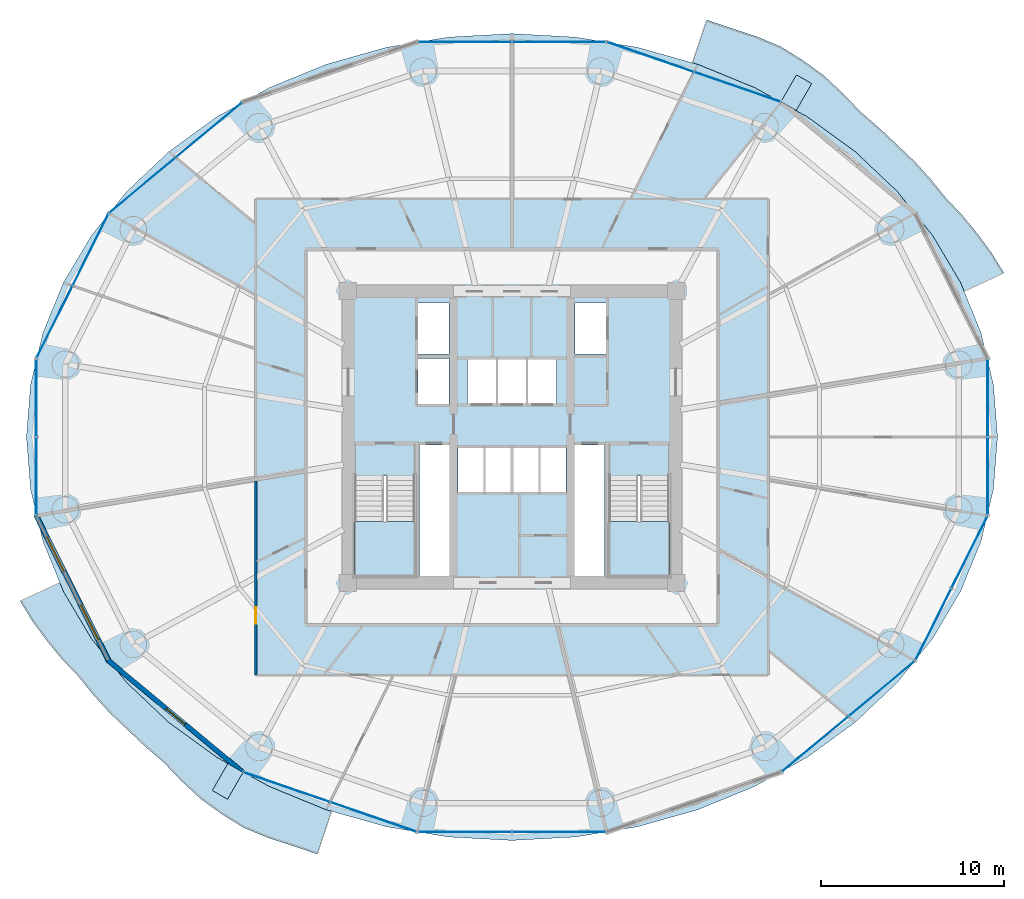
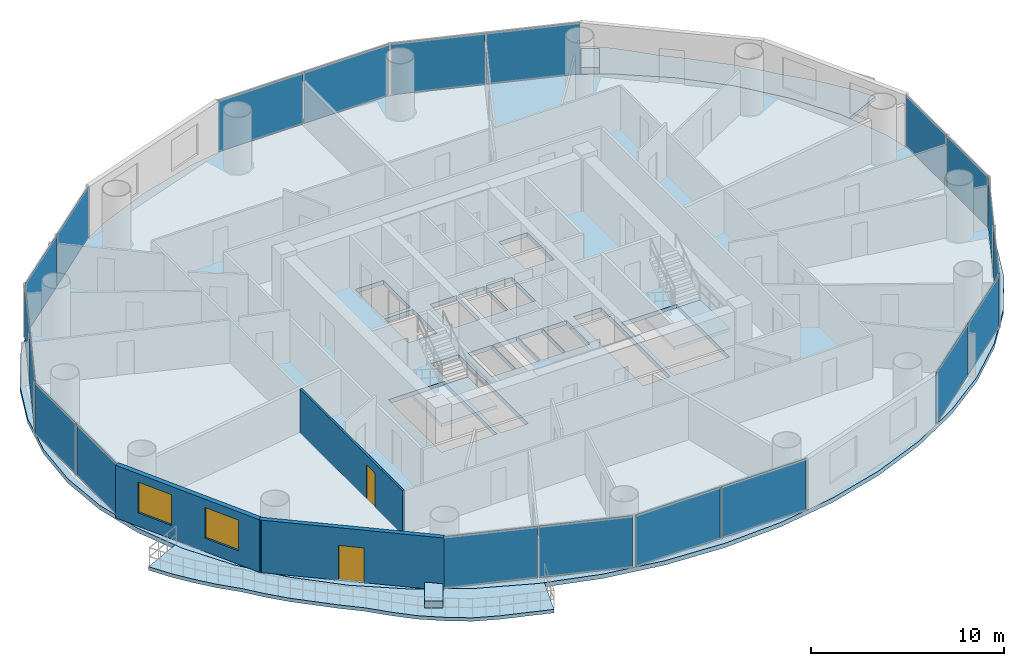
# One storey, part 21 of 29: 20 plates, 7 slabs, 3 walls, 2 doors, 2 windows, 4 openings, 12 elements without a shape of their own.
"""IFC4 building model written with IfcOpenShell, lengths in metres."""

from ifc_helpers import new_model, si_unit, direction, frame, frame_2d, origin, origin_2d, place, context, subcontext, project, spatial, polyline, rectangle, outline, extrude, source, transform, mapped, material, layer, layer_set, type_object, element, fill, aggregate, save


model = new_model("IFC4")

# Units and contexts
model_context = context("Model", 3, precision=1e-05, world=origin(), true_north=direction((-0.2419218956, 0.970295726276)))
body_context = subcontext(model_context, "Body", "Model", "MODEL_VIEW")
ifc_project = project(units=[si_unit("LENGTHUNIT", "METRE"), si_unit("AREAUNIT", "SQUARE_METRE"), si_unit("VOLUMEUNIT", "CUBIC_METRE"), si_unit("PLANEANGLEUNIT", "RADIAN"), si_unit("MASSUNIT", "GRAM", prefix="KILO")], contexts=[model_context])

# Site, building, storey
site_placement = place(None, origin())
site = spatial("IfcSite", under=ifc_project, at=site_placement, CompositionType="ELEMENT")
building_placement = place(site_placement, origin())
building = spatial("IfcBuilding", under=site, at=building_placement, Name="Cobrevalo Terracotta Tower", CompositionType="ELEMENT")
storey_placement = place(building_placement, frame((0.0, 0.0, 87.0)))
storey = spatial("IfcBuildingStorey", under=building, at=storey_placement, Name="L22", CompositionType="ELEMENT", Elevation=87.0)

# Stair, slab
ifc_material_1 = material(Name="Concrete C50", Category="concrete")
stair_type = type_object("IfcStairType", Name="Core protected escape dogleg stair 1600", PredefinedType="HALF_TURN_STAIR", material=ifc_material_1)
stair_1_placement = place(storey_placement, origin())
stair_1 = element("IfcStair", 1, at=stair_1_placement, inside=storey, type_object=stair_type, Name="L22 Protected exit stair ST-1", PredefinedType="HALF_TURN_STAIR")
ifc_layer_1 = layer(ifc_material_1, 0.199951171875)
ifc_layer_set_1 = layer_set([ifc_layer_1], Name="Concrete C50")
slab_type_1 = type_object("IfcSlabType", Name="Reinforced Concrete Stair Landing 200", PredefinedType="LANDING", material=ifc_layer_set_1)
slab_1_placement = place(storey_placement, frame((0.0, 0.0, 1.60009765625)))
slab_1 = element("IfcSlab", 2, at=slab_1_placement, type_object=slab_type_1, Name="ST-1 landing 1", PredefinedType="LANDING", context=body_context, shape_type="SweptSolid", body=[
    extrude(outline(polyline([(29.375, 22.179931640625), (29.375, 19.175048828125), (32.695068359375, 19.175048828125), (32.695068359375, 22.179931640625), (29.375, 22.179931640625)])), origin(), (0.0, 0.0, 1.0), 0.199951171875),
])
aggregate(stair_1, [slab_1])

stair_2_placement = place(storey_placement, origin())
stair_2 = element("IfcStair", 3, at=stair_2_placement, inside=storey, type_object=stair_type, Name="L22 Protected exit stair ST-2", PredefinedType="HALF_TURN_STAIR")
slab_2_placement = place(storey_placement, frame((0.0, 0.0, 1.60009765625)))
slab_2 = element("IfcSlab", 4, at=slab_2_placement, type_object=slab_type_1, Name="ST-2 landing 1", PredefinedType="LANDING", context=body_context, shape_type="SweptSolid", body=[
    extrude(outline(polyline([(43.304931640625, 22.179931640625), (43.304931640625, 19.175048828125), (46.625, 19.175048828125), (46.625, 22.179931640625), (43.304931640625, 22.179931640625)])), origin(), (0.0, 0.0, 1.0), 0.199951171875),
])
aggregate(stair_2, [slab_2])

# Slabs
ifc_material_2 = material(Name="Concrete C45", Category="concrete")
ifc_layer_2 = layer(ifc_material_2, 0.219970703125)
ifc_layer_set_2 = layer_set([ifc_layer_2], Name="Concrete C45")
slab_type_2 = type_object("IfcSlabType", Name="Spiralling cantilevered balcony lobe slab 220 mm", PredefinedType="FLOOR", material=ifc_layer_set_2)
slab_3_placement = place(storey_placement, frame((0.0, 0.0, -0.219970703125)))
element("IfcSlab", 5, at=slab_3_placement, inside=storey, type_object=slab_type_2, Name="L22 spiralling arc balcony slab lobe 1", PredefinedType="FLOOR", context=body_context, shape_type="SweptSolid", body=[
    extrude(outline(polyline([(64.953125, 35.782958984375), (64.26611328125, 36.896240234375), (63.485107421875, 37.955322265625), (62.659423828125, 38.96337890625), (61.74560546875, 39.91943359375), (60.925048828125, 40.93798828125), (60.039794921875, 41.912109375), (59.07275390625, 42.830810546875), (58.103515625, 43.74462890625), (57.076416015625, 44.633544921875), (56.11328125, 45.638916015625), (55.0849609375, 46.60009765625), (53.93408203125, 47.4345703125), (52.727294921875, 48.186767578125), (51.401611328125, 48.739501953125), (50.031982421875, 49.18896484375), (48.671142578125, 49.64697265625), (47.89013671875, 47.301513671875), (48.18017578125, 47.219482421875), (51.301025390625, 45.94091796875), (54.1943359375, 44.334716796875), (56.810546875, 42.428466796875), (59.104736328125, 40.2548828125), (61.0380859375, 37.85107421875), (62.5771484375, 35.258056640625), (62.77685546875, 34.76904296875), (64.953125, 35.782958984375)])), origin(), (0.0, 0.0, 1.0), 0.219970703125),
])
slab_4_placement = place(storey_placement, frame((0.0, 0.0, -0.219970703125)))
element("IfcSlab", 6, at=slab_4_placement, inside=storey, type_object=slab_type_2, Name="L22 spiralling arc balcony slab lobe 2", PredefinedType="FLOOR", context=body_context, shape_type="SweptSolid", body=[
    extrude(outline(polyline([(11.046875, 17.81689453125), (11.73388671875, 16.70361328125), (12.514892578125, 15.64453125), (13.340576171875, 14.63671875), (14.25439453125, 13.680419921875), (15.074951171875, 12.662109375), (15.960205078125, 11.687744140625), (16.92724609375, 10.769287109375), (17.896484375, 9.85546875), (18.923583984375, 8.966552734375), (19.88671875, 7.9609375), (20.9150390625, 7.0), (22.06591796875, 6.16552734375), (23.272705078125, 5.413330078125), (24.598388671875, 4.8603515625), (25.968017578125, 4.410888671875), (27.328857421875, 3.953125), (28.10986328125, 6.298583984375), (27.81982421875, 6.38037109375), (24.698974609375, 7.6591796875), (21.8056640625, 9.265380859375), (19.189453125, 11.171630859375), (16.895263671875, 13.34521484375), (14.9619140625, 15.7490234375), (13.4228515625, 18.342041015625), (13.22314453125, 18.8310546875), (11.046875, 17.81689453125)])), origin(), (0.0, 0.0, 1.0), 0.219970703125),
])
ifc_material_3 = material(Name="Precast concrete C45", Category="concrete")
ifc_layer_3 = layer(ifc_material_3, 0.419921875)
ifc_layer_set_3 = layer_set([ifc_layer_3], Name="Precast concrete C45")
slab_type_3 = type_object("IfcSlabType", Name="Structural tree planter trough base 420 mm", PredefinedType="USERDEFINED", material=ifc_layer_set_3)
slab_5_placement = place(storey_placement, origin())
element("IfcSlab", 7, at=slab_5_placement, inside=storey, type_object=slab_type_3, Name="L22 structural tree planter trough 1", ObjectType="PLANTER", PredefinedType="USERDEFINED", context=body_context, shape_type="SweptSolid", body=[
    extrude(outline(polyline([(53.568359375, 44.689208984375), (54.417724609375, 46.161865234375), (53.586181640625, 46.6416015625), (52.73681640625, 45.1689453125), (53.568359375, 44.689208984375)])), origin(), (0.0, 0.0, 1.0), 0.419921875),
])
slab_6_placement = place(storey_placement, origin())
element("IfcSlab", 8, at=slab_6_placement, inside=storey, type_object=slab_type_3, Name="L22 structural tree planter trough 2", ObjectType="PLANTER", PredefinedType="USERDEFINED", context=body_context, shape_type="SweptSolid", body=[
    extrude(outline(polyline([(22.431640625, 8.91064453125), (21.582275390625, 7.43798828125), (22.413818359375, 6.95849609375), (23.26318359375, 8.43115234375), (22.431640625, 8.91064453125)])), origin(), (0.0, 0.0, 1.0), 0.419921875),
])
ifc_layer_4 = layer(ifc_material_1, 0.27490234375)
ifc_layer_set_4 = layer_set([ifc_layer_4], Name="Concrete C50")
slab_type_4 = type_object("IfcSlabType", Name="Zone Z2 elliptical floor plate 275 mm", PredefinedType="FLOOR", material=ifc_layer_set_4)
slab_7_placement = place(storey_placement, frame((0.0, 0.0, -0.27490234375)))
element("IfcSlab", 9, at=slab_7_placement, inside=storey, type_object=slab_type_4, Name="L22 indoor elliptical floor slab", PredefinedType="FLOOR", context=body_context, shape_type="SweptSolid", body=[
    extrude(outline(polyline([(64.372314453125, 23.915283203125), (63.693603515625, 21.080078125), (62.5751953125, 18.3427734375), (61.036376953125, 15.75), (59.103271484375, 13.346435546875), (56.80908203125, 11.1728515625), (54.193115234375, 9.266845703125), (51.300048828125, 7.660888671875), (48.179443359375, 6.38232421875), (44.884521484375, 5.453125), (41.471923828125, 4.88916015625), (38.0, 4.699951171875), (34.528076171875, 4.88916015625), (31.115478515625, 5.453125), (27.820556640625, 6.38232421875), (24.699951171875, 7.660888671875), (21.806884765625, 9.266845703125), (19.19091796875, 11.1728515625), (16.896728515625, 13.346435546875), (14.963623046875, 15.75), (13.4248046875, 18.3427734375), (12.306396484375, 21.080078125), (11.627685546875, 23.915283203125), (11.39990234375, 26.800048828125), (11.627685546875, 29.6845703125), (12.306396484375, 32.52001953125), (13.4248046875, 35.25732421875), (14.963623046875, 37.85009765625), (16.896728515625, 40.253662109375), (19.19091796875, 42.427001953125), (21.806884765625, 44.3330078125), (24.699951171875, 45.939208984375), (27.820556640625, 47.2177734375), (31.115478515625, 48.14697265625), (34.528076171875, 48.7109375), (38.0, 48.89990234375), (41.471923828125, 48.7109375), (44.884521484375, 48.14697265625), (48.179443359375, 47.2177734375), (51.300048828125, 45.939208984375), (54.193115234375, 44.3330078125), (56.80908203125, 42.427001953125), (59.103271484375, 40.253662109375), (61.036376953125, 37.85009765625), (62.5751953125, 35.25732421875), (63.693603515625, 32.52001953125), (64.372314453125, 29.6845703125), (64.60009765625, 26.800048828125), (64.372314453125, 23.915283203125)]), holes=[polyline([(32.695068359375, 19.175048828125), (32.695068359375, 24.659912109375), (29.375, 24.659912109375), (29.375, 19.175048828125), (32.695068359375, 19.175048828125)]), polyline([(34.574951171875, 19.175048828125), (34.574951171875, 26.360107421875), (32.919921875, 26.360107421875), (32.919921875, 19.175048828125), (34.574951171875, 19.175048828125)]), polyline([(36.47998046875, 23.800048828125), (36.47998046875, 26.25), (35.050048828125, 26.25), (35.050048828125, 23.800048828125), (36.47998046875, 23.800048828125)]), polyline([(37.9599609375, 23.800048828125), (37.9599609375, 26.25), (36.530029296875, 26.25), (36.530029296875, 23.800048828125), (37.9599609375, 23.800048828125)]), polyline([(37.1201171875, 28.60009765625), (37.1201171875, 31.050048828125), (35.550048828125, 31.050048828125), (35.550048828125, 28.60009765625), (37.1201171875, 28.60009765625)]), polyline([(34.550048828125, 28.60009765625), (34.550048828125, 31.10009765625), (32.85009765625, 31.10009765625), (32.85009765625, 28.60009765625), (34.550048828125, 28.60009765625)]), polyline([(34.550048828125, 31.35009765625), (34.550048828125, 34.14990234375), (32.85009765625, 34.14990234375), (32.85009765625, 31.35009765625), (34.550048828125, 31.35009765625)]), polyline([(46.625, 19.175048828125), (46.625, 24.659912109375), (43.304931640625, 24.659912109375), (43.304931640625, 19.175048828125), (46.625, 19.175048828125)]), polyline([(43.080078125, 19.175048828125), (43.080078125, 26.360107421875), (41.425048828125, 26.360107421875), (41.425048828125, 19.175048828125), (43.080078125, 19.175048828125)]), polyline([(39.469970703125, 23.800048828125), (39.469970703125, 26.25), (38.0400390625, 26.25), (38.0400390625, 23.800048828125), (39.469970703125, 23.800048828125)]), polyline([(40.949951171875, 23.800048828125), (40.949951171875, 26.25), (39.52001953125, 26.25), (39.52001953125, 23.800048828125), (40.949951171875, 23.800048828125)]), polyline([(38.780029296875, 28.60009765625), (38.780029296875, 31.050048828125), (37.219970703125, 31.050048828125), (37.219970703125, 28.60009765625), (38.780029296875, 28.60009765625)]), polyline([(40.449951171875, 28.60009765625), (40.449951171875, 31.050048828125), (38.8798828125, 31.050048828125), (38.8798828125, 28.60009765625), (40.449951171875, 28.60009765625)]), polyline([(43.14990234375, 31.35009765625), (43.14990234375, 34.14990234375), (41.449951171875, 34.14990234375), (41.449951171875, 31.35009765625), (43.14990234375, 31.35009765625)])]), origin(), (0.0, 0.0, 1.0), 0.27490234375),
])

# Curtain wall, plates
ifc_material_4 = material(Name="Anodized aluminium", Category="aluminium")
curtain_wall_type = type_object("IfcCurtainWallType", Name="Lower-tower unitised acoustic low-E curtain wall CW-U1", PredefinedType="NOTDEFINED", material=ifc_material_4)
curtain_wall_1_placement = place(storey_placement, origin())
curtain_wall_1 = element("IfcCurtainWall", 10, at=curtain_wall_1_placement, inside=storey, type_object=curtain_wall_type, Name="L22 curtain wall CW-L22-S03", PredefinedType="NOTDEFINED")
ifc_material_5 = material(Name="Solar-control low-E double glazing", Category="glass")
ifc_layer_5 = layer(ifc_material_5, 0.028076171875)
ifc_layer_set_5 = layer_set([ifc_layer_5], Name="Solar-control low-E double glazing")
plate_type = type_object("IfcPlateType", Name="Tower solar-control low-E vision glass panel 28 mm", PredefinedType="CURTAIN_PANEL", material=ifc_layer_set_5)
shared_shape_1 = source(origin(), body_context, "Body", "SweptSolid", [
    extrude(rectangle(XDim=4.944580078125, YDim=0.035888671875, at=origin_2d()), origin(), (0.0, 0.0, 1.0), 3.2451171875),
])
plate_1_placement = place(storey_placement, frame((50.34814453125, 45.98095703125, 0.0400390625), z_axis=(0.0, 0.0, 1.0), x_axis=(-0.945596395206, 0.325342062104, 0.0)))
plate_1 = element("IfcPlate", 11, at=plate_1_placement, type_object=plate_type, Name="CW-L22-S03 glazing panel B01", PredefinedType="CURTAIN_PANEL", context=body_context, shape_type="MappedRepresentation", body=[
    mapped(shared_shape_1, transform((0.0, 0.0, 0.0), scale=1.0)),
])
plate_2_placement = place(storey_placement, frame((45.596923828125, 47.615478515625, 0.0400390625), z_axis=(0.0, 0.0, 1.0), x_axis=(-0.945596395206, 0.325342062104, 0.0)))
plate_2 = element("IfcPlate", 12, at=plate_2_placement, type_object=plate_type, Name="CW-L22-S03 glazing panel B02", PredefinedType="CURTAIN_PANEL", context=body_context, shape_type="MappedRepresentation", body=[
    mapped(shared_shape_1, transform((0.0, 0.0, 0.0), scale=1.0)),
])
aggregate(curtain_wall_1, [plate_1, plate_2])

curtain_wall_2_placement = place(storey_placement, origin())
curtain_wall_2 = element("IfcCurtainWall", 13, at=curtain_wall_2_placement, inside=storey, type_object=curtain_wall_type, Name="L22 curtain wall CW-L22-S11", PredefinedType="NOTDEFINED")
plate_3_placement = place(storey_placement, frame((25.65185546875, 7.619140625, 0.0400390625), z_axis=(0.0, 0.0, 1.0), x_axis=(0.945596395206, -0.325342062104, 0.0)))
plate_3 = element("IfcPlate", 14, at=plate_3_placement, type_object=plate_type, Name="CW-L22-S11 glazing panel B01", PredefinedType="CURTAIN_PANEL", context=body_context, shape_type="MappedRepresentation", body=[
    mapped(shared_shape_1, transform((0.0, 0.0, 0.0), scale=1.0)),
])
plate_4_placement = place(storey_placement, frame((30.403076171875, 5.984375, 0.0400390625), z_axis=(0.0, 0.0, 1.0), x_axis=(0.945596395206, -0.325342062104, 0.0)))
plate_4 = element("IfcPlate", 15, at=plate_4_placement, type_object=plate_type, Name="CW-L22-S11 glazing panel B02", PredefinedType="CURTAIN_PANEL", context=body_context, shape_type="MappedRepresentation", body=[
    mapped(shared_shape_1, transform((0.0, 0.0, 0.0), scale=1.0)),
])
aggregate(curtain_wall_2, [plate_3, plate_4])

curtain_wall_3_placement = place(storey_placement, origin())
curtain_wall_3 = element("IfcCurtainWall", 16, at=curtain_wall_3_placement, inside=storey, type_object=curtain_wall_type, Name="L22 curtain wall CW-L22-S04", PredefinedType="NOTDEFINED")
shared_shape_2 = source(origin(), body_context, "Body", "SweptSolid", [
    extrude(rectangle(XDim=5.0634765625, YDim=0.035888671875, at=origin_2d()), origin(), (0.0, 0.0, 1.0), 3.2451171875),
])
plate_5_placement = place(storey_placement, frame((40.57177734375, 48.446044921875, 0.0400390625), z_axis=(0.0, 0.0, 1.0), x_axis=(-1.0, 0.0, 0.0)))
plate_5 = element("IfcPlate", 17, at=plate_5_placement, type_object=plate_type, Name="CW-L22-S04 glazing panel B01", PredefinedType="CURTAIN_PANEL", context=body_context, shape_type="MappedRepresentation", body=[
    mapped(shared_shape_2, transform((0.0, 0.0, 0.0), scale=1.0)),
])
plate_6_placement = place(storey_placement, frame((35.42822265625, 48.446044921875, 0.0400390625), z_axis=(0.0, 0.0, 1.0), x_axis=(-1.0, 0.0, 0.0)))
plate_6 = element("IfcPlate", 18, at=plate_6_placement, type_object=plate_type, Name="CW-L22-S04 glazing panel B02", PredefinedType="CURTAIN_PANEL", context=body_context, shape_type="MappedRepresentation", body=[
    mapped(shared_shape_2, transform((0.0, 0.0, 0.0), scale=1.0)),
])
aggregate(curtain_wall_3, [plate_5, plate_6])

curtain_wall_4_placement = place(storey_placement, origin())
curtain_wall_4 = element("IfcCurtainWall", 19, at=curtain_wall_4_placement, inside=storey, type_object=curtain_wall_type, Name="L22 curtain wall CW-L22-S12", PredefinedType="NOTDEFINED")
plate_7_placement = place(storey_placement, frame((35.42822265625, 5.154052734375, 0.0400390625), z_axis=(0.0, 0.0, 1.0), x_axis=(1.0, 0.0, 0.0)))
plate_7 = element("IfcPlate", 20, at=plate_7_placement, type_object=plate_type, Name="CW-L22-S12 glazing panel B01", PredefinedType="CURTAIN_PANEL", context=body_context, shape_type="MappedRepresentation", body=[
    mapped(shared_shape_2, transform((0.0, 0.0, 0.0), scale=1.0)),
])
plate_8_placement = place(storey_placement, frame((40.57177734375, 5.154052734375, 0.0400390625), z_axis=(0.0, 0.0, 1.0), x_axis=(1.0, 0.0, 0.0)))
plate_8 = element("IfcPlate", 21, at=plate_8_placement, type_object=plate_type, Name="CW-L22-S12 glazing panel B02", PredefinedType="CURTAIN_PANEL", context=body_context, shape_type="MappedRepresentation", body=[
    mapped(shared_shape_2, transform((0.0, 0.0, 0.0), scale=1.0)),
])
aggregate(curtain_wall_4, [plate_7, plate_8])

curtain_wall_5_placement = place(storey_placement, origin())
curtain_wall_5 = element("IfcCurtainWall", 22, at=curtain_wall_5_placement, inside=storey, type_object=curtain_wall_type, Name="L22 curtain wall CW-L22-S06", PredefinedType="NOTDEFINED")
shared_shape_3 = source(origin(), body_context, "Body", "SweptSolid", [
    extrude(rectangle(XDim=4.64501953125, YDim=0.035888671875, at=origin_2d()), origin(), (0.0, 0.0, 1.0), 3.2451171875),
])
plate_9_placement = place(storey_placement, frame((21.390380859375, 43.615478515625, 0.0400390625), z_axis=(0.0, 0.0, 1.0), x_axis=(-0.769241221277, -0.638958483384, 0.0)))
plate_9 = element("IfcPlate", 23, at=plate_9_placement, type_object=plate_type, Name="CW-L22-S06 glazing panel B01", PredefinedType="CURTAIN_PANEL", context=body_context, shape_type="MappedRepresentation", body=[
    mapped(shared_shape_3, transform((0.0, 0.0, 0.0), scale=1.0)),
])
plate_10_placement = place(storey_placement, frame((17.755859375, 40.596435546875, 0.0400390625), z_axis=(0.0, 0.0, 1.0), x_axis=(-0.769241221277, -0.638958483384, 0.0)))
plate_10 = element("IfcPlate", 24, at=plate_10_placement, type_object=plate_type, Name="CW-L22-S06 glazing panel B02", PredefinedType="CURTAIN_PANEL", context=body_context, shape_type="MappedRepresentation", body=[
    mapped(shared_shape_3, transform((0.0, 0.0, 0.0), scale=1.0)),
])
aggregate(curtain_wall_5, [plate_9, plate_10])

curtain_wall_6_placement = place(storey_placement, origin())
curtain_wall_6 = element("IfcCurtainWall", 25, at=curtain_wall_6_placement, inside=storey, type_object=curtain_wall_type, Name="L22 curtain wall CW-L22-S14", PredefinedType="NOTDEFINED")
plate_11_placement = place(storey_placement, frame((54.609619140625, 9.984619140625, 0.0400390625), z_axis=(0.0, 0.0, 1.0), x_axis=(0.769241221277, 0.638958483384, 0.0)))
plate_11 = element("IfcPlate", 26, at=plate_11_placement, type_object=plate_type, Name="CW-L22-S14 glazing panel B01", PredefinedType="CURTAIN_PANEL", context=body_context, shape_type="MappedRepresentation", body=[
    mapped(shared_shape_3, transform((0.0, 0.0, 0.0), scale=1.0)),
])
plate_12_placement = place(storey_placement, frame((58.244140625, 13.00341796875, 0.0400390625), z_axis=(0.0, 0.0, 1.0), x_axis=(0.769241221277, 0.638958483384, 0.0)))
plate_12 = element("IfcPlate", 27, at=plate_12_placement, type_object=plate_type, Name="CW-L22-S14 glazing panel B02", PredefinedType="CURTAIN_PANEL", context=body_context, shape_type="MappedRepresentation", body=[
    mapped(shared_shape_3, transform((0.0, 0.0, 0.0), scale=1.0)),
])
aggregate(curtain_wall_6, [plate_11, plate_12])

curtain_wall_7_placement = place(storey_placement, origin())
curtain_wall_7 = element("IfcCurtainWall", 28, at=curtain_wall_7_placement, inside=storey, type_object=curtain_wall_type, Name="L22 curtain wall CW-L22-S07", PredefinedType="NOTDEFINED")
shared_shape_4 = source(origin(), body_context, "Body", "SweptSolid", [
    extrude(rectangle(XDim=4.3251953125, YDim=0.035888671875, at=origin_2d()), origin(), (0.0, 0.0, 1.0), 3.2451171875),
])
plate_13_placement = place(storey_placement, frame((14.906982421875, 37.0546875, 0.0400390625), z_axis=(0.0, 0.0, 1.0), x_axis=(-0.446261852127, -0.894902430065, 0.0)))
plate_13 = element("IfcPlate", 29, at=plate_13_placement, type_object=plate_type, Name="CW-L22-S07 glazing panel B01", PredefinedType="CURTAIN_PANEL", context=body_context, shape_type="MappedRepresentation", body=[
    mapped(shared_shape_4, transform((0.0, 0.0, 0.0), scale=1.0)),
])
plate_14_placement = place(storey_placement, frame((12.94140625, 33.112548828125, 0.0400390625), z_axis=(0.0, 0.0, 1.0), x_axis=(-0.446261852127, -0.894902430065, 0.0)))
plate_14 = element("IfcPlate", 30, at=plate_14_placement, type_object=plate_type, Name="CW-L22-S07 glazing panel B02", PredefinedType="CURTAIN_PANEL", context=body_context, shape_type="MappedRepresentation", body=[
    mapped(shared_shape_4, transform((0.0, 0.0, 0.0), scale=1.0)),
])
aggregate(curtain_wall_7, [plate_13, plate_14])

curtain_wall_8_placement = place(storey_placement, origin())
curtain_wall_8 = element("IfcCurtainWall", 31, at=curtain_wall_8_placement, inside=storey, type_object=curtain_wall_type, Name="L22 curtain wall CW-L22-S15", PredefinedType="NOTDEFINED")
plate_15_placement = place(storey_placement, frame((61.093017578125, 16.54541015625, 0.0400390625), z_axis=(0.0, 0.0, 1.0), x_axis=(0.446261852127, 0.894902430065, 0.0)))
plate_15 = element("IfcPlate", 32, at=plate_15_placement, type_object=plate_type, Name="CW-L22-S15 glazing panel B01", PredefinedType="CURTAIN_PANEL", context=body_context, shape_type="MappedRepresentation", body=[
    mapped(shared_shape_4, transform((0.0, 0.0, 0.0), scale=1.0)),
])
plate_16_placement = place(storey_placement, frame((63.05859375, 20.487548828125, 0.0400390625), z_axis=(0.0, 0.0, 1.0), x_axis=(0.446261852127, 0.894902430065, 0.0)))
plate_16 = element("IfcPlate", 33, at=plate_16_placement, type_object=plate_type, Name="CW-L22-S15 glazing panel B02", PredefinedType="CURTAIN_PANEL", context=body_context, shape_type="MappedRepresentation", body=[
    mapped(shared_shape_4, transform((0.0, 0.0, 0.0), scale=1.0)),
])
aggregate(curtain_wall_8, [plate_15, plate_16])

curtain_wall_9_placement = place(storey_placement, origin())
curtain_wall_9 = element("IfcCurtainWall", 34, at=curtain_wall_9_placement, inside=storey, type_object=curtain_wall_type, Name="L22 curtain wall CW-L22-S08", PredefinedType="NOTDEFINED")
shared_shape_5 = source(origin(), body_context, "Body", "SweptSolid", [
    extrude(rectangle(XDim=4.185546875, YDim=0.035888671875, at=origin_2d()), origin(), (0.0, 0.0, 1.0), 3.2451171875),
])
plate_17_placement = place(storey_placement, frame((11.9404296875, 28.932861328125, 0.0400390625), z_axis=(0.0, 0.0, 1.0), x_axis=(0.0, -1.0, 0.0)))
plate_17 = element("IfcPlate", 35, at=plate_17_placement, type_object=plate_type, Name="CW-L22-S08 glazing panel B01", PredefinedType="CURTAIN_PANEL", context=body_context, shape_type="MappedRepresentation", body=[
    mapped(shared_shape_5, transform((0.0, 0.0, 0.0), scale=1.0)),
])
plate_18_placement = place(storey_placement, frame((11.9404296875, 24.667236328125, 0.0400390625), z_axis=(0.0, 0.0, 1.0), x_axis=(0.0, -1.0, 0.0)))
plate_18 = element("IfcPlate", 36, at=plate_18_placement, type_object=plate_type, Name="CW-L22-S08 glazing panel B02", PredefinedType="CURTAIN_PANEL", context=body_context, shape_type="MappedRepresentation", body=[
    mapped(shared_shape_5, transform((0.0, 0.0, 0.0), scale=1.0)),
])
aggregate(curtain_wall_9, [plate_17, plate_18])

curtain_wall_10_placement = place(storey_placement, origin())
curtain_wall_10 = element("IfcCurtainWall", 37, at=curtain_wall_10_placement, inside=storey, type_object=curtain_wall_type, Name="L22 curtain wall CW-L22-S16", PredefinedType="NOTDEFINED")
plate_19_placement = place(storey_placement, frame((64.0595703125, 24.667236328125, 0.0400390625), z_axis=(0.0, 0.0, 1.0), x_axis=(0.0, 1.0, 0.0)))
plate_19 = element("IfcPlate", 38, at=plate_19_placement, type_object=plate_type, Name="CW-L22-S16 glazing panel B01", PredefinedType="CURTAIN_PANEL", context=body_context, shape_type="MappedRepresentation", body=[
    mapped(shared_shape_5, transform((0.0, 0.0, 0.0), scale=1.0)),
])
plate_20_placement = place(storey_placement, frame((64.0595703125, 28.932861328125, 0.0400390625), z_axis=(0.0, 0.0, 1.0), x_axis=(0.0, 1.0, 0.0)))
plate_20 = element("IfcPlate", 39, at=plate_20_placement, type_object=plate_type, Name="CW-L22-S16 glazing panel B02", PredefinedType="CURTAIN_PANEL", context=body_context, shape_type="MappedRepresentation", body=[
    mapped(shared_shape_5, transform((0.0, 0.0, 0.0), scale=1.0)),
])
aggregate(curtain_wall_10, [plate_19, plate_20])

# Wall, openings, windows
ifc_material_6 = material(Name="Autoclaved aerated concrete block", Category="concrete")
ifc_layer_6 = layer(ifc_material_6, 0.280029296875)
ifc_layer_set_6 = layer_set([ifc_layer_6], Name="Autoclaved aerated concrete block")
wall_type_1 = type_object("IfcWallType", Name="Insulated tower spandrel & pier wall 280 mm with terracotta rainscreen", PredefinedType="SOLIDWALL", material=ifc_layer_set_6)
wall_1_placement = place(storey_placement, frame((11.90478515625, 22.56591796875, 0.0), z_axis=(0.0, 0.0, 1.0), x_axis=(0.446274562077, -0.894896091869, 0.0)))
wall_1 = element("IfcWall", 40, at=wall_1_placement, inside=storey, type_object=wall_type_1, Name="L22 terracotta rainscreen pier wall S09", PredefinedType="SOLIDWALL", context=body_context, shape_type="SweptSolid", body=[
    extrude(rectangle(XDim=9.050048828125, YDim=0.280029296875, at=frame_2d((4.52490234375, 0.0))), origin(), (0.0, 0.0, 1.0), 3.324951171875),
])
opening_1_placement = place(wall_1_placement, frame((1.3935546875, 0.0, 0.85009765625)))
opening_1 = element("IfcOpeningElement", 41, at=opening_1_placement, cuts=wall_1, Name="Opening WN-10", PredefinedType="OPENING", context=body_context, shape_type="SweptSolid", body=[
    extrude(rectangle(XDim=2.10009765625, YDim=1.949951171875, at=frame_2d((1.050048828125, 0.97509765625))), frame((0.0, 0.14990234375, 0.0), z_axis=(0.0, -1.0, 0.0), x_axis=(1.0, 0.0, 0.0)), (0.0, 0.0, 1.0), 0.300048828125),
])
opening_2_placement = place(wall_1_placement, frame((5.556640625, 0.0, 0.85009765625)))
opening_2 = element("IfcOpeningElement", 42, at=opening_2_placement, cuts=wall_1, Name="Opening WN-10", PredefinedType="OPENING", context=body_context, shape_type="SweptSolid", body=[
    extrude(rectangle(XDim=2.10009765625, YDim=1.949951171875, at=frame_2d((1.050048828125, 0.97509765625))), frame((0.0, 0.14990234375, 0.0), z_axis=(0.0, -1.0, 0.0), x_axis=(1.0, 0.0, 0.0)), (0.0, 0.0, 1.0), 0.300048828125),
])
window_type = type_object("IfcWindowType", Name="Wide panoramic low-E aluminium window 2100x1950", PartitioningType="SINGLE_PANEL", PredefinedType="WINDOW", material=ifc_material_5)
shared_shape_6 = source(origin(), body_context, "Body", "SweptSolid", [
    extrude(rectangle(XDim=2.10009765625, YDim=1.949951171875, at=frame_2d((1.050048828125, 0.97509765625))), frame((0.0, 0.030029296875, 0.0), z_axis=(0.0, -1.0, 0.0), x_axis=(1.0, 0.0, 0.0)), (0.0, 0.0, 1.0), 0.06005859375),
])
window_1_placement = place(opening_1_placement, origin())
window_1 = element("IfcWindow", 43, at=window_1_placement, inside=storey, type_object=window_type, Name="L22 suite window S09A", OverallHeight=1.949951171875, OverallWidth=2.10009765625, PartitioningType="SINGLE_PANEL", PredefinedType="WINDOW", context=body_context, shape_type="MappedRepresentation", body=[
    mapped(shared_shape_6, transform((0.0, 0.0, 0.0), scale=1.0)),
])
fill(opening_1, window_1)
window_2_placement = place(opening_2_placement, origin())
window_2 = element("IfcWindow", 44, at=window_2_placement, inside=storey, type_object=window_type, Name="L22 suite window S09B", OverallHeight=1.949951171875, OverallWidth=2.10009765625, PartitioningType="SINGLE_PANEL", PredefinedType="WINDOW", context=body_context, shape_type="MappedRepresentation", body=[
    mapped(shared_shape_6, transform((0.0, 0.0, 0.0), scale=1.0)),
])
fill(opening_2, window_2)

# Wall, opening, door
ifc_layer_7 = layer(ifc_material_6, 0.260009765625)
ifc_layer_set_7 = layer_set([ifc_layer_7], Name="Autoclaved aerated concrete block")
wall_type_2 = type_object("IfcWallType", Name="Recessed balcony loggia insulated exterior wall 260 mm", PredefinedType="SOLIDWALL", material=ifc_layer_set_7)
wall_2_placement = place(storey_placement, frame((15.84619140625, 14.589599609375, 0.0), z_axis=(0.0, 0.0, 1.0), x_axis=(0.769254958887, -0.638941944333, 0.0)))
wall_2 = element("IfcWall", 45, at=wall_2_placement, inside=storey, type_object=wall_type_2, Name="L22 balcony loggia wall S10", PredefinedType="SOLIDWALL", context=body_context, shape_type="SweptSolid", body=[
    extrude(rectangle(XDim=9.689697265625, YDim=0.260009765625, at=frame_2d((4.8447265625, 0.0))), origin(), (0.0, 0.0, 1.0), 3.324951171875),
])
opening_3_placement = place(wall_2_placement, frame((4.169921875, 0.0, 0.0)))
opening_3 = element("IfcOpeningElement", 46, at=opening_3_placement, cuts=wall_2, Name="Opening ED-05", PredefinedType="OPENING", context=body_context, shape_type="SweptSolid", body=[
    extrude(rectangle(XDim=1.35009765625, YDim=2.199951171875, at=frame_2d((0.675048828125, 1.10009765625))), frame((0.0, 0.14013671875, 0.0), z_axis=(0.0, -1.0, 0.0), x_axis=(1.0, 0.0, 0.0)), (0.0, 0.0, 1.0), 0.280029296875),
])
ifc_material_7 = material(Name="Anodized aluminium and laminated glass", Category="aluminium")
door_type_1 = type_object("IfcDoorType", Name="Suite balcony acoustic glazed terrace door 1350x2200", OperationType="NOTDEFINED", PredefinedType="DOOR", material=ifc_material_7)
shared_shape_7 = source(origin(), body_context, "Body", "SweptSolid", [
    extrude(rectangle(XDim=1.35009765625, YDim=2.199951171875, at=frame_2d((0.675048828125, 1.10009765625))), frame((0.0, 0.02490234375, 0.0), z_axis=(0.0, -1.0, 0.0), x_axis=(1.0, 0.0, 0.0)), (0.0, 0.0, 1.0), 0.050048828125),
])
door_1_placement = place(opening_3_placement, frame((1.35009765625, 0.0, 0.0), z_axis=(0.0, 0.0, 1.0), x_axis=(-1.0, 0.0, 0.0)))
door_1 = element("IfcDoor", 47, at=door_1_placement, inside=storey, type_object=door_type_1, Name="L22 glazed balcony terrace door 2", OperationType="SINGLE_SWING_RIGHT", OverallHeight=2.199951171875, OverallWidth=1.35009765625, PredefinedType="DOOR", context=body_context, shape_type="MappedRepresentation", body=[
    mapped(shared_shape_7, transform((0.0, 0.0, 0.0), scale=1.0)),
])
fill(opening_3, door_1)

ifc_material_8 = material(Name="Gypsum board on steel stud", Category="steel")
ifc_layer_8 = layer(ifc_material_8, 0.1201171875)
ifc_layer_set_8 = layer_set([ifc_layer_8], Name="Gypsum board on steel stud")
wall_type_3 = type_object("IfcWallType", Name="Residential internal acoustic stud partition 120 mm", PredefinedType="PARTITIONING", material=ifc_layer_set_8)
wall_3_placement = place(storey_placement, frame((23.965087890625, 13.764892578125, 0.0), z_axis=(0.0, 0.0, 1.0), x_axis=(0.0, 1.0, 0.0)))
wall_3 = element("IfcWall", 48, at=wall_3_placement, inside=storey, type_object=wall_type_3, Name="L22 interior partition IW-L22-U3-RING1_0", PredefinedType="PARTITIONING", context=body_context, shape_type="SweptSolid", body=[
    extrude(rectangle(XDim=10.61376953125, YDim=0.1201171875, at=frame_2d((5.306884765625, 0.0))), origin(), (0.0, 0.0, 1.0), 2.76708984375),
])
opening_4_placement = place(wall_3_placement, frame((2.814697265625, 0.0, 0.0)))
opening_4 = element("IfcOpeningElement", 49, at=opening_4_placement, cuts=wall_3, Name="Opening ID-12", PredefinedType="OPENING", context=body_context, shape_type="SweptSolid", body=[
    extrude(rectangle(XDim=0.89990234375, YDim=2.14990234375, at=frame_2d((0.449951171875, 1.074951171875))), frame((0.0, 0.070068359375, 0.0), z_axis=(0.0, -1.0, 0.0), x_axis=(1.0, 0.0, 0.0)), (0.0, 0.0, 1.0), 0.14013671875),
])
ifc_material_9 = material(Name="Engineered timber", Category="wood")
door_type_2 = type_object("IfcDoorType", Name="Internal residence & suite timber door 900x2150", OperationType="NOTDEFINED", PredefinedType="DOOR", material=ifc_material_9)
shared_shape_8 = source(origin(), body_context, "Body", "SweptSolid", [
    extrude(rectangle(XDim=0.89990234375, YDim=2.14990234375, at=frame_2d((0.449951171875, 1.074951171875))), frame((0.0, 0.02490234375, 0.0), z_axis=(0.0, -1.0, 0.0), x_axis=(1.0, 0.0, 0.0)), (0.0, 0.0, 1.0), 0.050048828125),
])
door_2_placement = place(opening_4_placement, origin())
door_2 = element("IfcDoor", 50, at=door_2_placement, inside=storey, type_object=door_type_2, Name="Flat L22C Penthouse Living and Dining Room internal door", OperationType="SINGLE_SWING_LEFT", OverallHeight=2.14990234375, OverallWidth=0.89990234375, PredefinedType="DOOR", context=body_context, shape_type="MappedRepresentation", body=[
    mapped(shared_shape_8, transform((0.0, 0.0, 0.0), scale=1.0)),
])
fill(opening_4, door_2)

save(model, "model.ifc")
